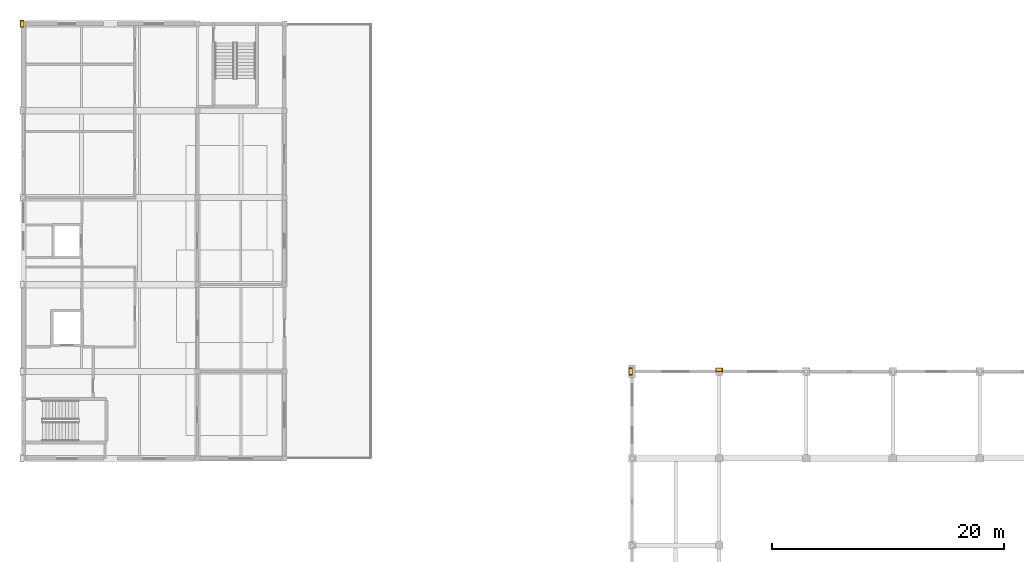
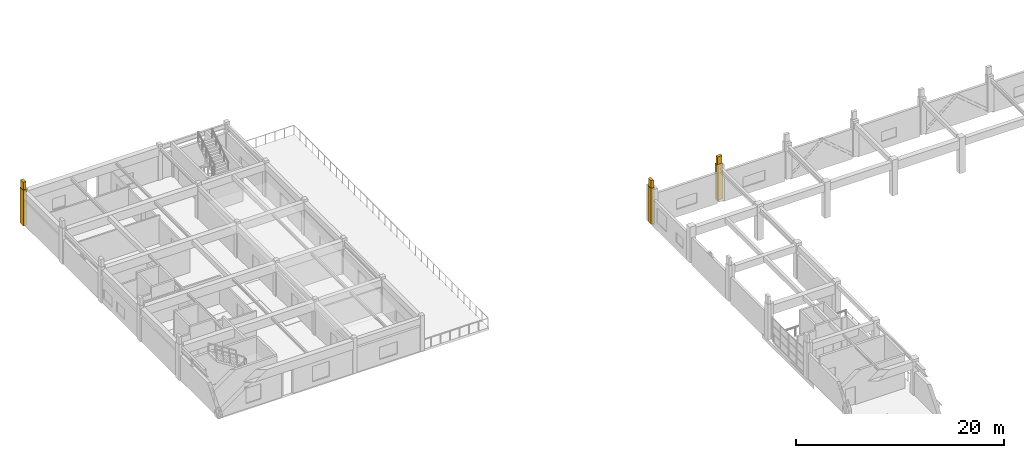
# One storey, part 49 of 51: 6 coverings.
"""IFC4 building model written with IfcOpenShell, lengths in metres."""

from ifc_helpers import new_model, si_unit, direction, frame, origin, origin_2d, place, context, subcontext, project, spatial, rectangle, extrude, material, layer, layer_set, type_object, element, save


model = new_model("IFC4")

# Units and contexts
model_context = context("Model", 3, precision=1e-05, world=origin(), true_north=direction((0.0, 1.0)))
body_context = subcontext(model_context, "Body", "Model", "MODEL_VIEW")
ifc_project = project(units=[si_unit("LENGTHUNIT", "METRE"), si_unit("AREAUNIT", "SQUARE_METRE"), si_unit("VOLUMEUNIT", "CUBIC_METRE"), si_unit("PLANEANGLEUNIT", "RADIAN"), si_unit("MASSUNIT", "GRAM", prefix="KILO")], contexts=[model_context])

# Site, building, storey
site_placement = place(None, origin())
site = spatial("IfcSite", under=ifc_project, at=site_placement, CompositionType="ELEMENT")
building_placement = place(site_placement, origin())
building = spatial("IfcBuilding", under=site, at=building_placement, Name="Qasida Concert Hall", CompositionType="ELEMENT")
storey_placement = place(building_placement, frame((0.0, 0.0, 21.0)))
storey = spatial("IfcBuildingStorey", under=building, at=storey_placement, Name="L05", CompositionType="ELEMENT", Elevation=21.0)

# Coverings
ifc_material = material(Name="Projecting fluted Lebanese limestone Art Deco pilaster", Category="masonry")
ifc_layer = layer(ifc_material, 0.35009765625, Name="Projecting fluted Lebanese limestone Art Deco pilaster")
ifc_layer_set = layer_set([ifc_layer], Name="Projecting fluted Lebanese limestone Art Deco pilaster")
covering_type = type_object("IfcCoveringType", Name="CV-PIL-650", PredefinedType="CLADDING", material=ifc_layer_set)
covering_1_placement = place(storey_placement, frame((52.364990234375, 82.5, 0.0), z_axis=(0.0, 0.0, 1.0), x_axis=(1.0, 0.0, 0.0)))
element("IfcCovering", 1, at=covering_1_placement, inside=storey, type_object=covering_type, Name="L05 fluted limestone pilaster 0090", PredefinedType="CLADDING", context=body_context, shape_type="SweptSolid", body=[
    extrude(rectangle(XDim=0.35009765625, YDim=0.64990234375, at=origin_2d()), origin(), (0.0, 0.0, 1.0), 4.199951171875),
])
covering_2_placement = place(storey_placement, frame((52.364990234375, 82.5, 4.199951171875), z_axis=(0.0, 0.0, 1.0), x_axis=(1.0, 0.0, 0.0)))
element("IfcCovering", 2, at=covering_2_placement, inside=storey, type_object=covering_type, Name="Stepped Art Deco pier finial 0091", PredefinedType="CLADDING", context=body_context, shape_type="SweptSolid", body=[
    extrude(rectangle(XDim=0.300048828125, YDim=0.52001953125, at=origin_2d()), origin(), (0.0, 0.0, 1.0), 0.89990234375),
])
covering_3_placement = place(storey_placement, frame((60.0, 82.635009765625, 0.0), z_axis=(0.0, 0.0, 1.0), x_axis=(1.0, 0.0, 0.0)))
element("IfcCovering", 3, at=covering_3_placement, inside=storey, type_object=covering_type, Name="L05 fluted limestone pilaster 0104", PredefinedType="CLADDING", context=body_context, shape_type="SweptSolid", body=[
    extrude(rectangle(XDim=0.64990234375, YDim=0.35009765625, at=origin_2d()), origin(), (0.0, 0.0, 1.0), 4.199951171875),
])
covering_4_placement = place(storey_placement, frame((60.0, 82.635009765625, 4.199951171875), z_axis=(0.0, 0.0, 1.0), x_axis=(1.0, 0.0, 0.0)))
element("IfcCovering", 4, at=covering_4_placement, inside=storey, type_object=covering_type, Name="Stepped Art Deco pier finial 0105", PredefinedType="CLADDING", context=body_context, shape_type="SweptSolid", body=[
    extrude(rectangle(XDim=0.52001953125, YDim=0.300048828125, at=origin_2d()), origin(), (0.0, 0.0, 1.0), 0.89990234375),
])
covering_5_placement = place(storey_placement, frame((-0.135009765625, 112.5, 0.0), z_axis=(0.0, 0.0, 1.0), x_axis=(1.0, 0.0, 0.0)))
element("IfcCovering", 5, at=covering_5_placement, inside=storey, type_object=covering_type, Name="L05 fluted limestone pilaster 0305", PredefinedType="CLADDING", context=body_context, shape_type="SweptSolid", body=[
    extrude(rectangle(XDim=0.35009765625, YDim=0.64990234375, at=origin_2d()), origin(), (0.0, 0.0, 1.0), 4.199951171875),
])
covering_6_placement = place(storey_placement, frame((-0.135009765625, 112.5, 4.199951171875), z_axis=(0.0, 0.0, 1.0), x_axis=(1.0, 0.0, 0.0)))
element("IfcCovering", 6, at=covering_6_placement, inside=storey, type_object=covering_type, Name="Stepped Art Deco pier finial 0306", PredefinedType="CLADDING", context=body_context, shape_type="SweptSolid", body=[
    extrude(rectangle(XDim=0.300048828125, YDim=0.52001953125, at=origin_2d()), origin(), (0.0, 0.0, 1.0), 0.89990234375),
])

save(model, "model.ifc")
